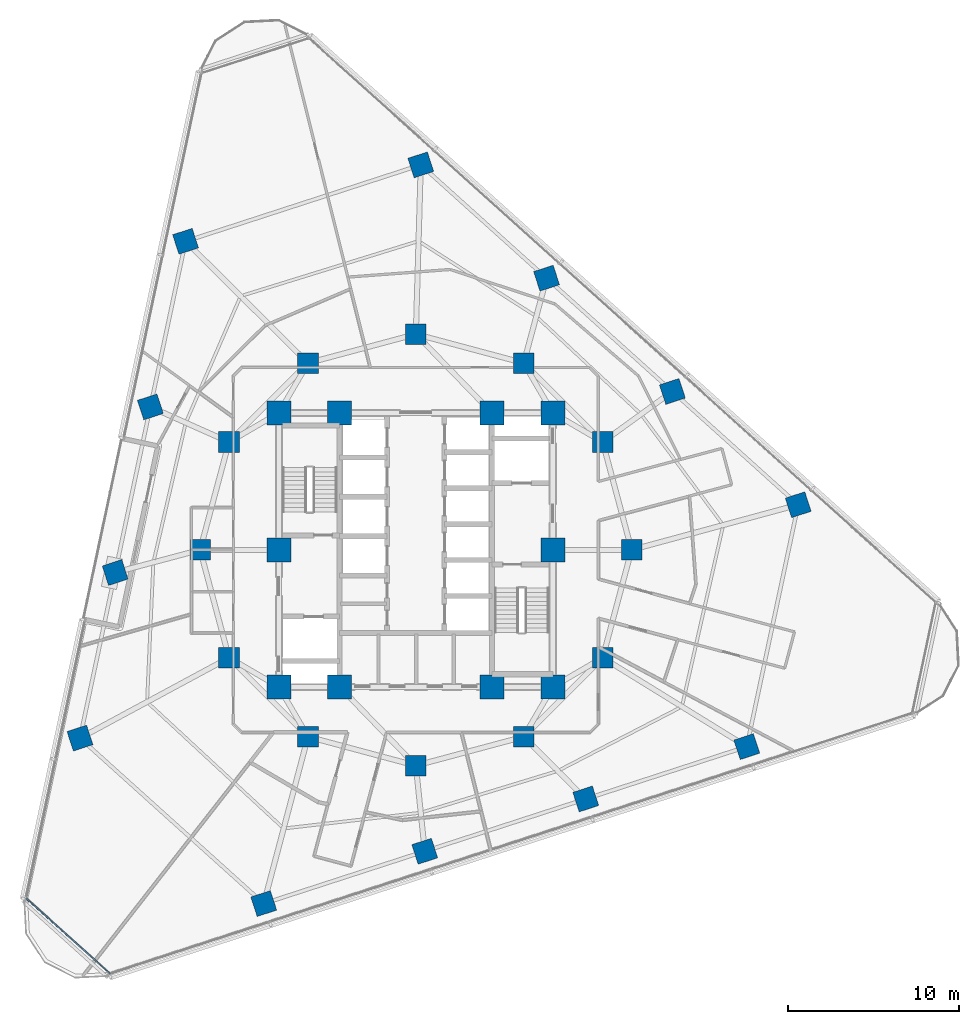
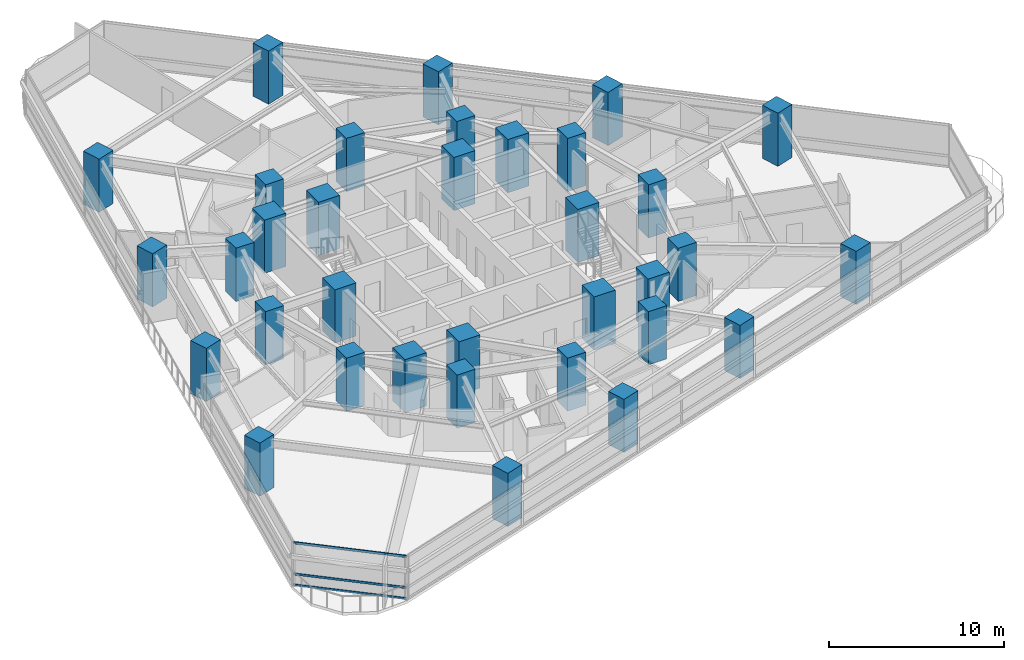
# One storey, part 1 of 14: 34 columns, 3 members, 1 element without a shape of its own.
"""IFC4 building model written with IfcOpenShell, lengths in metres."""

from ifc_helpers import new_model, si_unit, direction, frame, origin, origin_2d, place, context, subcontext, project, spatial, rectangle, extrude, material, layer, layer_set, material_profile, profile_set, type_object, element, aggregate, save


model = new_model("IFC4")

# Units and contexts
model_context = context("Model", 3, precision=1e-05, world=origin(), true_north=direction((0.0, 1.0)))
body_context = subcontext(model_context, "Body", "Model", "MODEL_VIEW")
ifc_project = project(units=[si_unit("LENGTHUNIT", "METRE"), si_unit("AREAUNIT", "SQUARE_METRE"), si_unit("VOLUMEUNIT", "CUBIC_METRE"), si_unit("PLANEANGLEUNIT", "RADIAN"), si_unit("MASSUNIT", "GRAM", prefix="KILO")], contexts=[model_context])

# Site, building, storey
site_placement = place(None, origin())
site = spatial("IfcSite", under=ifc_project, at=site_placement, CompositionType="ELEMENT")
building_placement = place(site_placement, origin())
building = spatial("IfcBuilding", under=site, at=building_placement, Name="Terralouvre Media Tower", CompositionType="ELEMENT")
storey_placement = place(building_placement, frame((0.0, 0.0, 112.5)))
storey = spatial("IfcBuildingStorey", under=building, at=storey_placement, Name="L28", CompositionType="ELEMENT", Elevation=112.5)

# Columns
ifc_material_1 = material(Name="Concrete C60/75", Category="concrete")
ifc_material_profile_1 = material_profile(ifc_material_1, rectangle(XDim=1.199951171875, YDim=1.199951171875, at=origin_2d()), Name="RC 1200x1200")
ifc_profile_set_1 = profile_set([ifc_material_profile_1], Name="Concrete C60/75")
column_type_1 = type_object("IfcColumnType", Name="Structural Column C-RC1200 (RC 1200x1200)", PredefinedType="COLUMN", material=ifc_profile_set_1)
for number, where, z_axis, x_axis, name in (
    (1, (12.60009765625, 0.0, 0.0), (0.0, 0.0, 1.0), (1.0, 0.0, 0.0), "L28 Mega-Frame Column MC01"),
    (2, (10.911865234375, 6.300048828125, 0.0), (0.0, 0.0, 1.0), (1.0, 0.0, 0.0), "L28 Mega-Frame Column MC02"),
    (3, (6.300048828125, 10.911865234375, 0.0), (0.0, 0.0, 1.0), (1.0, 0.0, 0.0), "L28 Mega-Frame Column MC03"),
    (4, (0.0, 12.60009765625, 0.0), (0.0, 0.0, 1.0), (1.0, 0.0, 0.0), "L28 Mega-Frame Column MC04"),
    (5, (-6.300048828125, 10.911865234375, 0.0), (0.0, 0.0, 1.0), (1.0, 0.0, 0.0), "L28 Mega-Frame Column MC05"),
    (6, (-10.911865234375, 6.300048828125, 0.0), (0.0, 0.0, 1.0), (1.0, 0.0, 0.0), "L28 Mega-Frame Column MC06"),
    (7, (-12.60009765625, 0.0, 0.0), (0.0, 0.0, 1.0), (1.0, 0.0, 0.0), "L28 Mega-Frame Column MC07"),
    (8, (-10.911865234375, -6.300048828125, 0.0), (0.0, 0.0, 1.0), (1.0, 0.0, 0.0), "L28 Mega-Frame Column MC08"),
    (9, (-6.300048828125, -10.911865234375, 0.0), (0.0, 0.0, 1.0), (1.0, 0.0, 0.0), "L28 Mega-Frame Column MC09"),
    (10, (0.0, -12.60009765625, 0.0), (0.0, 0.0, 1.0), (1.0, 0.0, 0.0), "L28 Mega-Frame Column MC10"),
    (11, (6.300048828125, -10.911865234375, 0.0), (0.0, 0.0, 1.0), (1.0, 0.0, 0.0), "L28 Mega-Frame Column MC11"),
    (12, (10.911865234375, -6.300048828125, 0.0), (0.0, 0.0, 1.0), (1.0, 0.0, 0.0), "L28 Mega-Frame Column MC12"),
    (13, (-8.883056640625, -20.658203125, 0.0), (0.0, 0.0, 1.0), (0.951056516295, 0.309016994375, 0.0), "L28 Perimeter Mega-Column PC11"),
    (14, (0.52099609375, -17.6025390625, 0.0), (0.0, 0.0, 1.0), (0.951056516295, 0.309016994375, 0.0), "L28 Perimeter Mega-Column PC12"),
    (15, (9.925048828125, -14.547119140625, 0.0), (0.0, 0.0, 1.0), (0.951056516295, 0.309016994375, 0.0), "L28 Perimeter Mega-Column PC13"),
    (16, (19.3291015625, -11.491455078125, 0.0), (0.0, 0.0, 1.0), (0.951056516295, 0.309016994375, 0.0), "L28 Perimeter Mega-Column PC14"),
    (17, (22.33203125, 2.63623046875, 0.0), (0.0, 0.0, 1.0), (0.951056516295, 0.309016994375, 0.0), "L28 Perimeter Mega-Column PC21"),
    (18, (14.98388671875, 9.25244140625, 0.0), (0.0, 0.0, 1.0), (0.951056516295, 0.309016994375, 0.0), "L28 Perimeter Mega-Column PC22"),
    (19, (7.635498046875, 15.868896484375, 0.0), (0.0, 0.0, 1.0), (0.951056516295, 0.309016994375, 0.0), "L28 Perimeter Mega-Column PC23"),
    (20, (0.287353515625, 22.4853515625, 0.0), (0.0, 0.0, 1.0), (0.951056516295, 0.309016994375, 0.0), "L28 Perimeter Mega-Column PC24"),
    (21, (-13.448974609375, 18.02197265625, 0.0), (0.0, 0.0, 1.0), (0.951056516295, 0.309016994375, 0.0), "L28 Perimeter Mega-Column PC31"),
    (22, (-15.5048828125, 8.35009765625, 0.0), (0.0, 0.0, 1.0), (0.951056516295, 0.309016994375, 0.0), "L28 Perimeter Mega-Column PC32"),
    (23, (-17.560791015625, -1.32177734375, 0.0), (0.0, 0.0, 1.0), (0.951056516295, 0.309016994375, 0.0), "L28 Perimeter Mega-Column PC33"),
    (24, (-19.616455078125, -10.99365234375, 0.0), (0.0, 0.0, 1.0), (0.951056516295, 0.309016994375, 0.0), "L28 Perimeter Mega-Column PC34"),
):
    element("IfcColumn", number, at=place(storey_placement, frame(where, z_axis=z_axis, x_axis=x_axis)), inside=storey, type_object=column_type_1, Name=name, PredefinedType="COLUMN", context=body_context, shape_type="SweptSolid", body=[
        extrude(rectangle(XDim=1.199951171875, YDim=1.199951171875, at=origin_2d()), origin(), (0.0, 0.0, 1.0), 3.699951171875),
    ])
ifc_material_2 = material(Name="Concrete C60/75", Category="concrete")
ifc_material_profile_2 = material_profile(ifc_material_2, rectangle(XDim=1.39990234375, YDim=1.39990234375, at=origin_2d()), Name="RC 1400x1400")
ifc_profile_set_2 = profile_set([ifc_material_profile_2], Name="Concrete C60/75")
column_type_2 = type_object("IfcColumnType", Name="Structural Column C-RC1400 (RC 1400x1400)", PredefinedType="COLUMN", material=ifc_profile_set_2)
for number, where, z_axis, x_axis, name in (
    (25, (-8.0, -8.0, 0.0), (0.0, 0.0, 1.0), (1.0, 0.0, 0.0), "L28 Core Pilaster Column CP1"),
    (26, (-4.449951171875, -8.0, 0.0), (0.0, 0.0, 1.0), (1.0, 0.0, 0.0), "L28 Core Pilaster Column CP2"),
    (27, (4.449951171875, -8.0, 0.0), (0.0, 0.0, 1.0), (1.0, 0.0, 0.0), "L28 Core Pilaster Column CP10"),
    (28, (8.0, -8.0, 0.0), (0.0, 0.0, 1.0), (1.0, 0.0, 0.0), "L28 Core Pilaster Column CP3"),
    (29, (8.0, 0.0, 0.0), (0.0, 0.0, 1.0), (1.0, 0.0, 0.0), "L28 Core Pilaster Column CP4"),
    (30, (8.0, 8.0, 0.0), (0.0, 0.0, 1.0), (1.0, 0.0, 0.0), "L28 Core Pilaster Column CP5"),
    (31, (4.449951171875, 8.0, 0.0), (0.0, 0.0, 1.0), (1.0, 0.0, 0.0), "L28 Core Pilaster Column CP9"),
    (32, (-4.449951171875, 8.0, 0.0), (0.0, 0.0, 1.0), (1.0, 0.0, 0.0), "L28 Core Pilaster Column CP6"),
    (33, (-8.0, 8.0, 0.0), (0.0, 0.0, 1.0), (1.0, 0.0, 0.0), "L28 Core Pilaster Column CP7"),
    (34, (-8.0, 0.0, 0.0), (0.0, 0.0, 1.0), (1.0, 0.0, 0.0), "L28 Core Pilaster Column CP8"),
):
    element("IfcColumn", number, at=place(storey_placement, frame(where, z_axis=z_axis, x_axis=x_axis)), inside=storey, type_object=column_type_2, Name=name, PredefinedType="COLUMN", context=body_context, shape_type="SweptSolid", body=[
        extrude(rectangle(XDim=1.39990234375, YDim=1.39990234375, at=origin_2d()), origin(), (0.0, 0.0, 1.0), 3.699951171875),
    ])

# Curtain wall, members
ifc_material_3 = material(Name="Low-iron laminated double glazing with solar-control coating", Category="glass")
ifc_layer = layer(ifc_material_3, 0.1650390625, Name="Rounded Wind-Corner Curved Glazing CW-04")
ifc_layer_set = layer_set([ifc_layer], Name="Low-iron laminated double glazing with solar-control coating")
curtain_wall_type = type_object("IfcCurtainWallType", Name="Rounded Wind-Corner Curved Glazing CW-04", PredefinedType="NOTDEFINED", material=ifc_layer_set)
curtain_wall_placement = place(storey_placement, origin())
curtain_wall = element("IfcCurtainWall", 35, at=curtain_wall_placement, inside=storey, type_object=curtain_wall_type, Name="L28 Rounded Wind-Corner Curtain Wall C0", PredefinedType="NOTDEFINED")
ifc_material_4 = material(Name="Anodised extruded aluminium 6063-T6", Category="aluminium")
ifc_material_profile_3 = material_profile(ifc_material_4, rectangle(XDim=0.074951171875, YDim=0.14990234375, at=origin_2d()), Name="ALU 75x150")
ifc_profile_set_3 = profile_set([ifc_material_profile_3], Name="Anodised extruded aluminium 6063-T6")
member_type = type_object("IfcMemberType", Name="Curtain-Wall Horizontal Transom TR-150", PredefinedType="USERDEFINED", material=ifc_profile_set_3)
member_1_placement = place(storey_placement, frame((-22.74560546875, -20.351806640625, 0.03759765625), z_axis=(0.743146319996, -0.669128946524, 0.0), x_axis=(0.669128946524, 0.743146319996, 0.0)))
member_1 = element("IfcMember", 36, at=member_1_placement, type_object=member_type, Name="CW-04 transom 1.1", ObjectType="TRANSOM", PredefinedType="USERDEFINED", context=body_context, shape_type="SweptSolid", body=[
    extrude(rectangle(XDim=0.074951171875, YDim=0.14990234375, at=origin_2d()), origin(), (0.0, 0.0, 1.0), 6.570556640625),
])
member_2_placement = place(storey_placement, frame((-22.74560546875, -20.351806640625, 0.800048828125), z_axis=(0.743146319996, -0.669128946524, 0.0), x_axis=(0.669128946524, 0.743146319996, 0.0)))
member_2 = element("IfcMember", 37, at=member_2_placement, type_object=member_type, Name="CW-04 transom 1.2", ObjectType="TRANSOM", PredefinedType="USERDEFINED", context=body_context, shape_type="SweptSolid", body=[
    extrude(rectangle(XDim=0.074951171875, YDim=0.14990234375, at=origin_2d()), origin(), (0.0, 0.0, 1.0), 6.570556640625),
])
member_3_placement = place(storey_placement, frame((-22.74560546875, -20.351806640625, 2.96240234375), z_axis=(0.743146319996, -0.669128946524, 0.0), x_axis=(0.669128946524, 0.743146319996, 0.0)))
member_3 = element("IfcMember", 38, at=member_3_placement, type_object=member_type, Name="CW-04 transom 1.3", ObjectType="TRANSOM", PredefinedType="USERDEFINED", context=body_context, shape_type="SweptSolid", body=[
    extrude(rectangle(XDim=0.074951171875, YDim=0.14990234375, at=origin_2d()), origin(), (0.0, 0.0, 1.0), 6.570556640625),
])
aggregate(curtain_wall, [member_1, member_2, member_3])

save(model, "model.ifc")
